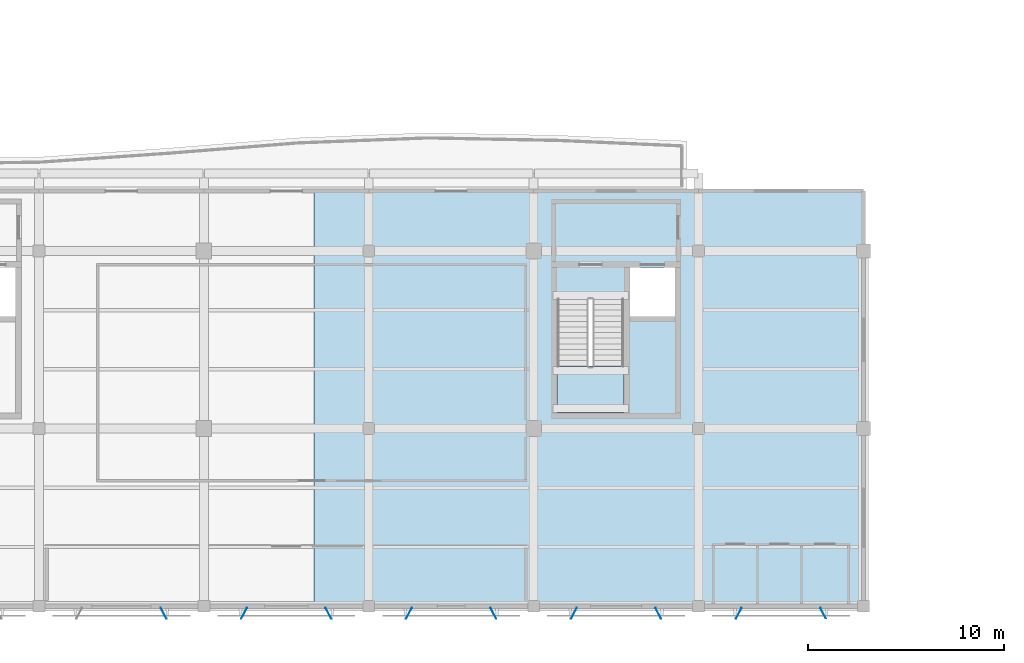
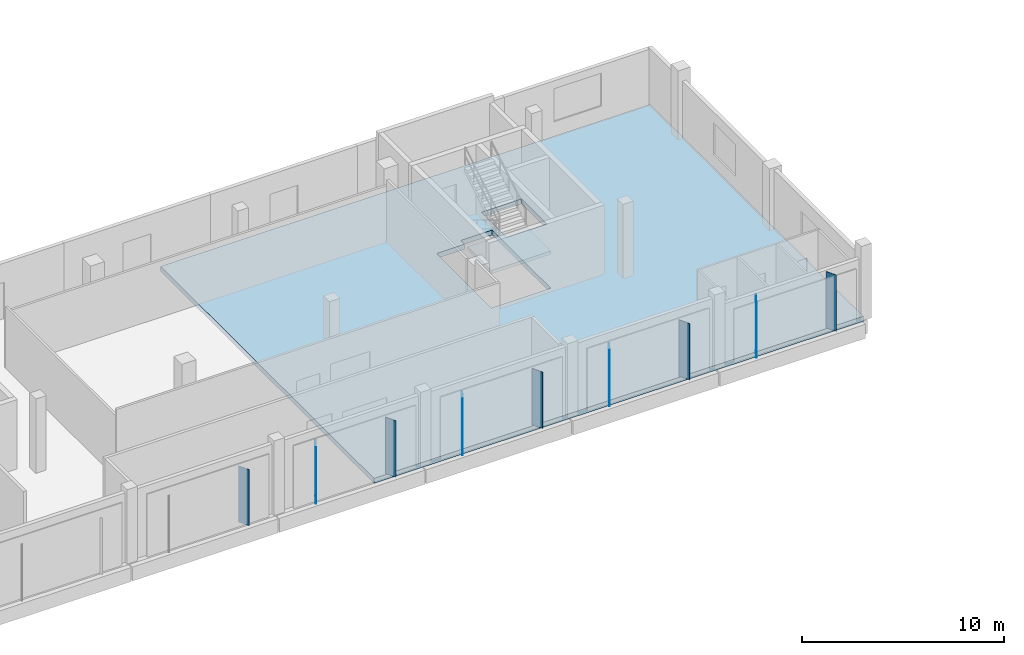
# One storey, part 11 of 28: 9 plates, 2 slabs, 1 element without a shape of its own.
"""IFC4 building model written with IfcOpenShell, lengths in metres."""

from ifc_helpers import new_model, si_unit, direction, frame, origin, origin_2d, place, context, subcontext, project, spatial, polyline, rectangle, outline, extrude, material, layer, layer_set, type_object, element, aggregate, save


model = new_model("IFC4")

# Units and contexts
model_context = context("Model", 3, precision=1e-05, world=origin(), true_north=direction((0.0, 1.0)))
body_context = subcontext(model_context, "Body", "Model", "MODEL_VIEW")
ifc_project = project(units=[si_unit("LENGTHUNIT", "METRE"), si_unit("AREAUNIT", "SQUARE_METRE"), si_unit("VOLUMEUNIT", "CUBIC_METRE"), si_unit("PLANEANGLEUNIT", "RADIAN"), si_unit("MASSUNIT", "GRAM", prefix="KILO")], contexts=[model_context])

# Site, building, storey
site_placement = place(None, origin())
site = spatial("IfcSite", under=ifc_project, at=site_placement, CompositionType="ELEMENT")
building_placement = place(site_placement, origin())
building = spatial("IfcBuilding", under=site, at=building_placement, Name="Khurvash Pelagic Aquarium", CompositionType="ELEMENT")
storey_placement = place(building_placement, frame((0.0, 0.0, 20.10009765625)))
storey = spatial("IfcBuildingStorey", under=building, at=storey_placement, Name="L04", CompositionType="ELEMENT", Elevation=20.10009765625)

# Slab
ifc_material_1 = material(Name="Concrete C40/50", Category="concrete")
ifc_layer_1 = layer(ifc_material_1, 0.300048828125)
ifc_layer_set_1 = layer_set([ifc_layer_1], Name="Concrete C40/50")
slab_type_1 = type_object("IfcSlabType", Name="FS-300", PredefinedType="FLOOR", material=ifc_layer_set_1)
slab_1_placement = place(storey_placement, frame((0.0, 0.0, -0.300048828125)))
element("IfcSlab", 1, at=slab_1_placement, inside=storey, type_object=slab_type_1, Name="L04 Structural Floor Slab FS-300 V3_SOUTH.3", PredefinedType="FLOOR", context=body_context, shape_type="SweptSolid", body=[
    extrude(outline(polyline([(109.199951171875, 2.60009765625), (109.199951171875, 23.75), (81.199951171875, 23.75), (81.199951171875, 2.60009765625), (109.199951171875, 2.60009765625)]), holes=[polyline([(95.199951171875, 18.25), (97.0, 18.25), (97.0, 12.449951171875), (93.60009765625, 12.449951171875), (93.60009765625, 17.8701171875), (95.199951171875, 17.8701171875), (95.199951171875, 18.25)]), polyline([(99.60009765625, 17.35009765625), (97.300048828125, 17.35009765625), (97.300048828125, 19.85009765625), (99.60009765625, 19.85009765625), (99.60009765625, 17.35009765625)])]), origin(), (0.0, 0.0, 1.0), 0.300048828125),
])

# Stair, slab
ifc_material_2 = material(Name="Concrete C35/45", Category="concrete")
stair_type = type_object("IfcStairType", Name="ST-03", PredefinedType="HALF_TURN_STAIR", material=ifc_material_2)
stair_placement = place(storey_placement, origin())
stair = element("IfcStair", 2, at=stair_placement, inside=storey, type_object=stair_type, Name="L04 Protected Exit Stair ST-03", PredefinedType="HALF_TURN_STAIR")
ifc_layer_2 = layer(ifc_material_2, 0.199951171875)
ifc_layer_set_2 = layer_set([ifc_layer_2], Name="Concrete C35/45")
slab_type_2 = type_object("IfcSlabType", Name="SL-LND-200", PredefinedType="LANDING", material=ifc_layer_set_2)
slab_2_placement = place(storey_placement, frame((0.0, 0.0, 2.0498046875)))
slab_2 = element("IfcSlab", 3, at=slab_2_placement, type_object=slab_type_2, Name="ST-03 landing 1", PredefinedType="LANDING", context=body_context, shape_type="SweptSolid", body=[
    extrude(outline(polyline([(93.60009765625, 14.830078125), (93.60009765625, 12.449951171875), (97.0, 12.449951171875), (97.0, 14.830078125), (93.60009765625, 14.830078125)])), origin(), (0.0, 0.0, 1.0), 0.2001953125),
])
aggregate(stair, [slab_2])

# Plates
ifc_material_3 = material(Name="Anodised aluminium AW-5005", Category="aluminium")
ifc_layer_3 = layer(ifc_material_3, 0.02392578125)
ifc_layer_set_3 = layer_set([ifc_layer_3], Name="Anodised aluminium AW-5005")
plate_type = type_object("IfcPlateType", Name="SP-01", PredefinedType="SHEET", material=ifc_layer_set_3)
for number, where, z_axis, x_axis, name in (
    (4, (73.550048828125, 2.241943359375, 0.14990234375), (0.0, 0.0, 1.0), (0.469471562786, -0.882947592859, 0.0), "L04 Parametric Folded Aluminium Solar Screen Fin SP-01 0086"),
    (5, (77.64990234375, 2.241943359375, 0.14990234375), (0.0, 0.0, 1.0), (-0.469471562786, -0.882947592859, 0.0), "L04 Parametric Folded Aluminium Solar Screen Fin SP-01 0087"),
    (6, (81.949951171875, 2.241943359375, 0.14990234375), (0.0, 0.0, 1.0), (0.469471562786, -0.882947592859, 0.0), "L04 Parametric Folded Aluminium Solar Screen Fin SP-01 0088"),
    (7, (86.050048828125, 2.241943359375, 0.14990234375), (0.0, 0.0, 1.0), (-0.469471562786, -0.882947592859, 0.0), "L04 Parametric Folded Aluminium Solar Screen Fin SP-01 0089"),
    (8, (90.35009765625, 2.241943359375, 0.14990234375), (0.0, 0.0, 1.0), (0.469471562786, -0.882947592859, 0.0), "L04 Parametric Folded Aluminium Solar Screen Fin SP-01 0090"),
    (9, (94.449951171875, 2.241943359375, 0.14990234375), (0.0, 0.0, 1.0), (-0.469471562786, -0.882947592859, 0.0), "L04 Parametric Folded Aluminium Solar Screen Fin SP-01 0091"),
    (10, (98.75, 2.241943359375, 0.14990234375), (0.0, 0.0, 1.0), (0.469471562786, -0.882947592859, 0.0), "L04 Parametric Folded Aluminium Solar Screen Fin SP-01 0092"),
    (11, (102.85009765625, 2.241943359375, 0.14990234375), (0.0, 0.0, 1.0), (-0.469471562786, -0.882947592859, 0.0), "L04 Parametric Folded Aluminium Solar Screen Fin SP-01 0093"),
    (12, (107.14990234375, 2.241943359375, 0.14990234375), (0.0, 0.0, 1.0), (0.469471562786, -0.882947592859, 0.0), "L04 Parametric Folded Aluminium Solar Screen Fin SP-01 0094"),
):
    element("IfcPlate", number, at=place(storey_placement, frame(where, z_axis=z_axis, x_axis=x_axis)), inside=storey, type_object=plate_type, Name=name, PredefinedType="SHEET", context=body_context, shape_type="SweptSolid", body=[
        extrude(rectangle(XDim=0.6201171875, YDim=0.02392578125, at=origin_2d()), origin(), (0.0, 0.0, 1.0), 3.39990234375),
    ])

save(model, "model.ifc")
